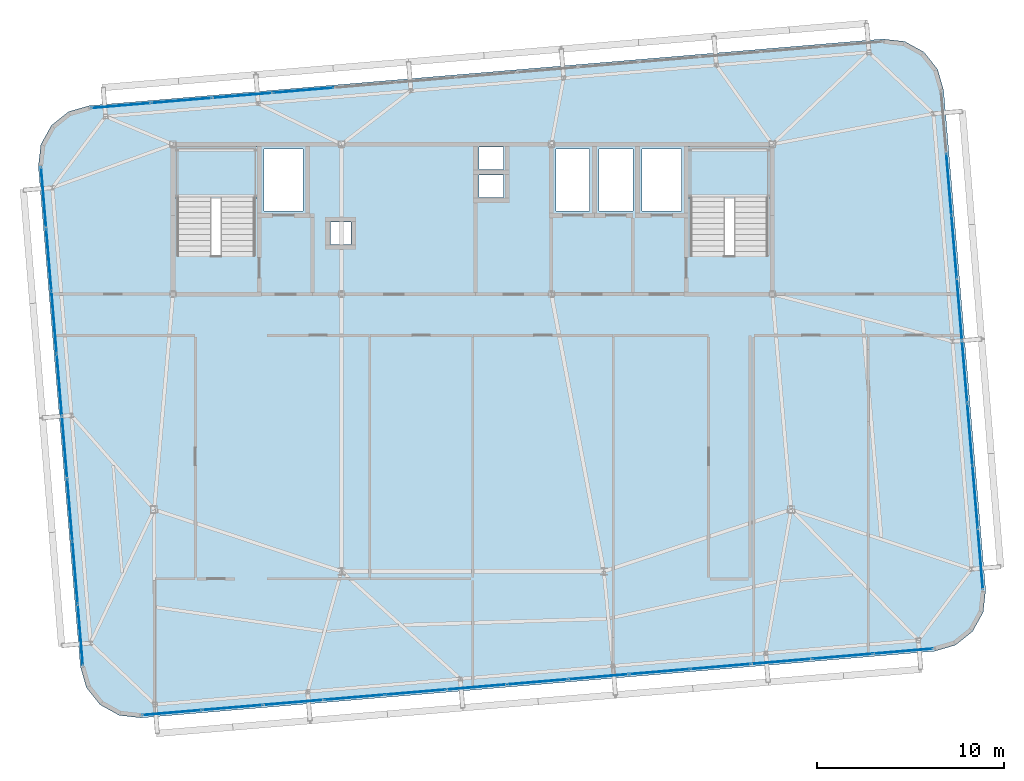
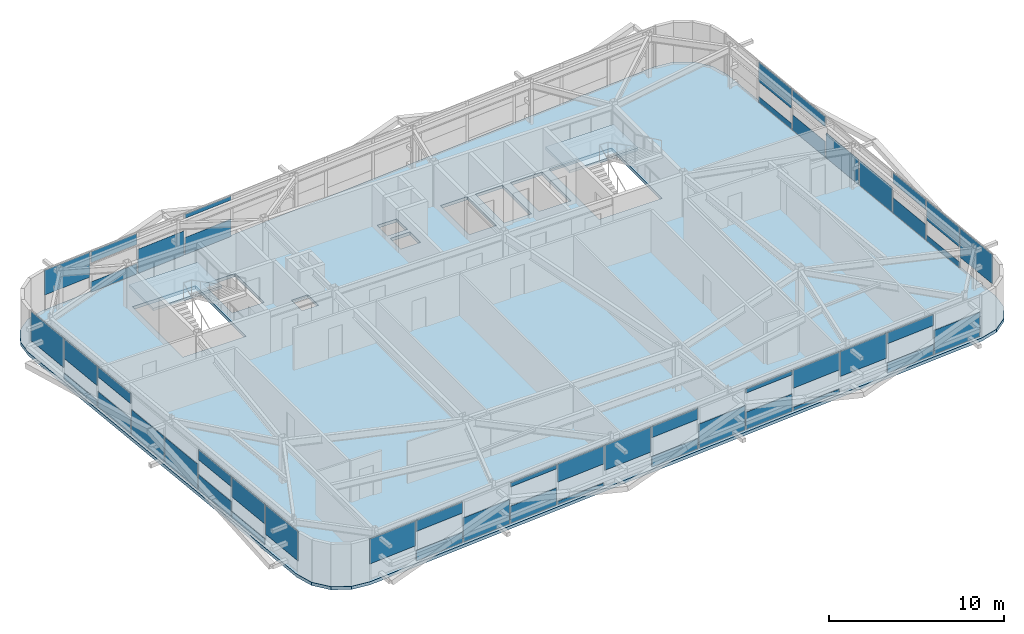
# One storey, part 32 of 46: 49 plates, 3 slabs, 6 elements without a shape of their own.
"""IFC4 building model written with IfcOpenShell, lengths in metres."""

from ifc_helpers import new_model, si_unit, direction, frame, origin, origin_2d, place, context, subcontext, project, spatial, polyline, rectangle, outline, extrude, source, transform, mapped, material, layer, layer_set, type_object, element, aggregate, save


model = new_model("IFC4")

# Units and contexts
model_context = context("Model", 3, precision=1e-05, world=origin(), true_north=direction((0.0, 1.0)))
body_context = subcontext(model_context, "Body", "Model", "MODEL_VIEW")
ifc_project = project(units=[si_unit("LENGTHUNIT", "METRE"), si_unit("AREAUNIT", "SQUARE_METRE"), si_unit("VOLUMEUNIT", "CUBIC_METRE"), si_unit("PLANEANGLEUNIT", "RADIAN"), si_unit("MASSUNIT", "GRAM", prefix="KILO")], contexts=[model_context])

# Site, building, storey
site_placement = place(None, origin())
site = spatial("IfcSite", under=ifc_project, at=site_placement, CompositionType="ELEMENT")
building_placement = place(site_placement, origin())
building = spatial("IfcBuilding", under=site, at=building_placement, Name="Taldren Reach Tower", CompositionType="ELEMENT")
storey_placement = place(building_placement, frame((0.0, 0.0, 185.14990234375)))
storey = spatial("IfcBuildingStorey", under=building, at=storey_placement, Name="L56", CompositionType="ELEMENT", Elevation=185.14990234375)

# Slab
ifc_material_1 = material(Name="Concrete N40 (40 MPa)", Category="concrete")
ifc_layer_1 = layer(ifc_material_1, 0.219970703125)
ifc_layer_set_1 = layer_set([ifc_layer_1], Name="Concrete N40 (40 MPa)")
slab_type_1 = type_object("IfcSlabType", Name="SL-FLR-220", PredefinedType="FLOOR", material=ifc_layer_set_1)
slab_1_placement = place(storey_placement, frame((0.0, 0.0, -0.219970703125)))
element("IfcSlab", 1, at=slab_1_placement, inside=storey, type_object=slab_type_1, Name="Suspended floor slab L56", PredefinedType="FLOOR", context=body_context, shape_type="SweptSolid", body=[
    extrude(outline(polyline([(59.647705078125, 4.935791015625), (60.772705078125, 5.25927734375), (61.688232421875, 5.98876953125), (62.254638671875, 7.012939453125), (62.38623046875, 8.17626953125), (60.1435546875, 34.882080078125), (59.820068359375, 36.007080078125), (59.090576171875, 36.922607421875), (58.06640625, 37.4892578125), (56.903076171875, 37.62060546875), (14.55224609375, 34.064208984375), (13.42724609375, 33.74072265625), (12.511962890625, 33.01123046875), (11.9453125, 31.987060546875), (11.813720703125, 30.82373046875), (14.056396484375, 4.117919921875), (14.3798828125, 2.992919921875), (15.109375, 2.077392578125), (16.1337890625, 1.5107421875), (17.296875, 1.37939453125), (59.647705078125, 4.935791015625)]), holes=[polyline([(19.219970703125, 26.050048828125), (23.3798828125, 26.050048828125), (23.3798828125, 31.820068359375), (19.219970703125, 31.820068359375), (19.219970703125, 26.050048828125)]), polyline([(46.6201171875, 26.050048828125), (50.780029296875, 26.050048828125), (50.780029296875, 31.820068359375), (46.6201171875, 31.820068359375), (46.6201171875, 26.050048828125)]), polyline([(23.85009765625, 28.449951171875), (25.949951171875, 28.449951171875), (25.949951171875, 31.75), (23.85009765625, 31.75), (23.85009765625, 28.449951171875)]), polyline([(44.050048828125, 28.449951171875), (46.14990234375, 28.449951171875), (46.14990234375, 31.75), (44.050048828125, 31.75), (44.050048828125, 28.449951171875)]), polyline([(39.449951171875, 28.449951171875), (41.25, 28.449951171875), (41.25, 31.75), (39.449951171875, 31.75), (39.449951171875, 28.449951171875)]), polyline([(41.75, 28.449951171875), (43.550048828125, 28.449951171875), (43.550048828125, 31.75), (41.75, 31.75), (41.75, 28.449951171875)]), polyline([(35.35009765625, 30.64990234375), (36.64990234375, 30.64990234375), (36.64990234375, 31.85009765625), (35.35009765625, 31.85009765625), (35.35009765625, 30.64990234375)]), polyline([(35.35009765625, 29.14990234375), (36.64990234375, 29.14990234375), (36.64990234375, 30.35009765625), (35.35009765625, 30.35009765625), (35.35009765625, 29.14990234375)]), polyline([(27.39990234375, 26.64990234375), (28.5, 26.64990234375), (28.5, 27.85009765625), (27.39990234375, 27.85009765625), (27.39990234375, 26.64990234375)])]), origin(), (0.0, 0.0, 1.0), 0.219970703125),
])

# Stair, slab
ifc_material_2 = material(Name="Concrete S50 (50 MPa)", Category="concrete")
stair_type = type_object("IfcStairType", Name="ST-HT-315", PredefinedType="HALF_TURN_STAIR", material=ifc_material_2)
stair_1_placement = place(storey_placement, origin())
stair_1 = element("IfcStair", 2, at=stair_1_placement, inside=storey, type_object=stair_type, Name="Fire-isolated exit stair ST1 L56", PredefinedType="HALF_TURN_STAIR")
ifc_layer_2 = layer(ifc_material_2, 0.179931640625)
ifc_layer_set_2 = layer_set([ifc_layer_2], Name="Concrete S50 (50 MPa)")
slab_type_2 = type_object("IfcSlabType", Name="SL-LAND-180", PredefinedType="LANDING", material=ifc_layer_set_2)
slab_2_placement = place(storey_placement, frame((0.0, 0.0, 1.39501953125)))
slab_2 = element("IfcSlab", 3, at=slab_2_placement, type_object=slab_type_2, Name="ST1 landing 1", PredefinedType="LANDING", context=body_context, shape_type="SweptSolid", body=[
    extrude(outline(polyline([(19.0400390625, 29.135009765625), (23.56005859375, 29.135009765625), (23.56005859375, 31.8701171875), (19.0400390625, 31.8701171875), (19.0400390625, 29.135009765625)])), origin(), (0.0, 0.0, 1.0), 0.18017578125),
])
aggregate(stair_1, [slab_2])

stair_2_placement = place(storey_placement, origin())
stair_2 = element("IfcStair", 4, at=stair_2_placement, inside=storey, type_object=stair_type, Name="Fire-isolated exit stair ST2 L56", PredefinedType="HALF_TURN_STAIR")
slab_3_placement = place(storey_placement, frame((0.0, 0.0, 1.39501953125)))
slab_3 = element("IfcSlab", 5, at=slab_3_placement, type_object=slab_type_2, Name="ST2 landing 1", PredefinedType="LANDING", context=body_context, shape_type="SweptSolid", body=[
    extrude(outline(polyline([(46.43994140625, 29.135009765625), (50.9599609375, 29.135009765625), (50.9599609375, 31.8701171875), (46.43994140625, 31.8701171875), (46.43994140625, 29.135009765625)])), origin(), (0.0, 0.0, 1.0), 0.18017578125),
])
aggregate(stair_2, [slab_3])

# Curtain wall, plate
ifc_material_3 = material(Name="Aluminium and Low-E Glass Unitised System", Category="aluminium")
ifc_layer_3 = layer(ifc_material_3, 0.159912109375)
ifc_layer_set_3 = layer_set([ifc_layer_3], Name="Aluminium and Low-E Glass Unitised System")
curtain_wall_type = type_object("IfcCurtainWallType", Name="CW-SYS-5", PredefinedType="NOTDEFINED", material=ifc_layer_set_3)
curtain_wall_1_placement = place(storey_placement, origin())
curtain_wall_1 = element("IfcCurtainWall", 6, at=curtain_wall_1_placement, inside=storey, type_object=curtain_wall_type, Name="Unitised curtain wall CW-L56-S", PredefinedType="NOTDEFINED")
ifc_material_4 = material(Name="Acoustic Triple-Laminated IGU", Category="glass")
ifc_layer_4 = layer(ifc_material_4, 0.035888671875)
ifc_layer_set_4 = layer_set([ifc_layer_4], Name="Acoustic Triple-Laminated IGU")
plate_type = type_object("IfcPlateType", Name="CW-PNL-IGU36", PredefinedType="CURTAIN_PANEL", material=ifc_layer_set_4)
shared_shape_1 = source(origin(), body_context, "Body", "SweptSolid", [
    extrude(rectangle(XDim=3.164306640625, YDim=0.035888671875, at=origin_2d()), origin(), (0.0, 0.0, 1.0), 1.734130859375),
])
plate_1_placement = place(storey_placement, frame((18.931396484375, 1.6572265625, 1.1357421875), z_axis=(0.0, 0.0, 1.0), x_axis=(0.996492854922, 0.083677894865, 0.0)))
plate_1 = element("IfcPlate", 7, at=plate_1_placement, type_object=plate_type, Name="CW-5 panel 1.1 part 1", PredefinedType="CURTAIN_PANEL", context=body_context, shape_type="MappedRepresentation", body=[
    mapped(shared_shape_1, transform((0.0, 0.0, 0.0), scale=1.0)),
])

curtain_wall_2_placement = place(storey_placement, origin())
curtain_wall_2 = element("IfcCurtainWall", 8, at=curtain_wall_2_placement, inside=storey, type_object=curtain_wall_type, Name="Unitised curtain wall CW-L56-N", PredefinedType="NOTDEFINED")
plate_2_placement = place(storey_placement, frame((16.210205078125, 34.06298828125, 1.1357421875), z_axis=(0.0, 0.0, 1.0), x_axis=(-0.99649285657, -0.083677875247, 0.0)))
plate_2 = element("IfcPlate", 9, at=plate_2_placement, type_object=plate_type, Name="CW-5 panel 13.1 part 1", PredefinedType="CURTAIN_PANEL", context=body_context, shape_type="MappedRepresentation", body=[
    mapped(shared_shape_1, transform((0.0, 0.0, 0.0), scale=1.0)),
])

# Plate
shared_shape_2 = source(origin(), body_context, "Body", "SweptSolid", [
    extrude(rectangle(XDim=3.19921875, YDim=0.035888671875, at=origin_2d()), origin(), (0.0, 0.0, 1.0), 0.711181640625),
])
plate_3_placement = place(storey_placement, frame((22.171875, 1.92919921875, 0.06005859375), z_axis=(0.0, 0.0, 1.0), x_axis=(0.996492854922, 0.083677894865, 0.0)))
plate_3 = element("IfcPlate", 10, at=plate_3_placement, type_object=plate_type, Name="CW-5 panel 2.1 part 1", PredefinedType="CURTAIN_PANEL", context=body_context, shape_type="MappedRepresentation", body=[
    mapped(shared_shape_2, transform((0.0, 0.0, 0.0), scale=1.0)),
])

plate_4_placement = place(storey_placement, frame((19.45068359375, 34.335205078125, 0.06005859375), z_axis=(0.0, 0.0, 1.0), x_axis=(-0.99649285657, -0.083677875247, 0.0)))
plate_4 = element("IfcPlate", 11, at=plate_4_placement, type_object=plate_type, Name="CW-5 panel 12.1 part 1", PredefinedType="CURTAIN_PANEL", context=body_context, shape_type="MappedRepresentation", body=[
    mapped(shared_shape_2, transform((0.0, 0.0, 0.0), scale=1.0)),
])

shared_shape_3 = source(origin(), body_context, "Body", "SweptSolid", [
    extrude(rectangle(XDim=3.19921875, YDim=0.035888671875, at=origin_2d()), origin(), (0.0, 0.0, 1.0), 0.762939453125),
])
plate_5_placement = place(storey_placement, frame((22.171875, 1.92919921875, 2.10693359375), z_axis=(0.0, 0.0, 1.0), x_axis=(0.996492854922, 0.083677894865, 0.0)))
plate_5 = element("IfcPlate", 12, at=plate_5_placement, type_object=plate_type, Name="CW-5 panel 2.1 part 2", PredefinedType="CURTAIN_PANEL", context=body_context, shape_type="MappedRepresentation", body=[
    mapped(shared_shape_3, transform((0.0, 0.0, 0.0), scale=1.0)),
])

plate_6_placement = place(storey_placement, frame((19.45068359375, 34.335205078125, 2.10693359375), z_axis=(0.0, 0.0, 1.0), x_axis=(-0.99649285657, -0.083677875247, 0.0)))
plate_6 = element("IfcPlate", 13, at=plate_6_placement, type_object=plate_type, Name="CW-5 panel 12.1 part 2", PredefinedType="CURTAIN_PANEL", context=body_context, shape_type="MappedRepresentation", body=[
    mapped(shared_shape_3, transform((0.0, 0.0, 0.0), scale=1.0)),
])

shared_shape_4 = source(origin(), body_context, "Body", "SweptSolid", [
    extrude(rectangle(XDim=3.19921875, YDim=0.035888671875, at=origin_2d()), origin(), (0.0, 0.0, 1.0), 1.682373046875),
])
plate_7_placement = place(storey_placement, frame((25.429443359375, 2.202880859375, 0.06005859375), z_axis=(0.0, 0.0, 1.0), x_axis=(0.996492854922, 0.083677894865, 0.0)))
plate_7 = element("IfcPlate", 14, at=plate_7_placement, type_object=plate_type, Name="CW-5 panel 3.1 part 1", PredefinedType="CURTAIN_PANEL", context=body_context, shape_type="MappedRepresentation", body=[
    mapped(shared_shape_4, transform((0.0, 0.0, 0.0), scale=1.0)),
])

plate_8_placement = place(storey_placement, frame((22.708251953125, 34.608642578125, 0.06005859375), z_axis=(0.0, 0.0, 1.0), x_axis=(-0.99649285657, -0.083677875247, 0.0)))
plate_8 = element("IfcPlate", 15, at=plate_8_placement, type_object=plate_type, Name="CW-5 panel 11.1 part 1", PredefinedType="CURTAIN_PANEL", context=body_context, shape_type="MappedRepresentation", body=[
    mapped(shared_shape_4, transform((0.0, 0.0, 0.0), scale=1.0)),
])

shared_shape_5 = source(origin(), body_context, "Body", "SweptSolid", [
    extrude(rectangle(XDim=3.19921875, YDim=0.035888671875, at=origin_2d()), origin(), (0.0, 0.0, 1.0), 1.190673828125),
])
plate_9_placement = place(storey_placement, frame((28.687255859375, 2.476318359375, 0.06005859375), z_axis=(0.0, 0.0, 1.0), x_axis=(0.996492854922, 0.083677894865, 0.0)))
plate_9 = element("IfcPlate", 16, at=plate_9_placement, type_object=plate_type, Name="CW-5 panel 4.1 part 1", PredefinedType="CURTAIN_PANEL", context=body_context, shape_type="MappedRepresentation", body=[
    mapped(shared_shape_5, transform((0.0, 0.0, 0.0), scale=1.0)),
])

plate_10_placement = place(storey_placement, frame((25.966064453125, 34.88232421875, 0.06005859375), z_axis=(0.0, 0.0, 1.0), x_axis=(-0.99649285657, -0.083677875247, 0.0)))
plate_10 = element("IfcPlate", 17, at=plate_10_placement, type_object=plate_type, Name="CW-5 panel 10.1 part 1", PredefinedType="CURTAIN_PANEL", context=body_context, shape_type="MappedRepresentation", body=[
    mapped(shared_shape_5, transform((0.0, 0.0, 0.0), scale=1.0)),
])

shared_shape_6 = source(origin(), body_context, "Body", "SweptSolid", [
    extrude(rectangle(XDim=3.19921875, YDim=0.035888671875, at=origin_2d()), origin(), (0.0, 0.0, 1.0), 0.283447265625),
])
plate_11_placement = place(storey_placement, frame((28.687255859375, 2.476318359375, 2.58642578125), z_axis=(0.0, 0.0, 1.0), x_axis=(0.996492854922, 0.083677894865, 0.0)))
plate_11 = element("IfcPlate", 18, at=plate_11_placement, type_object=plate_type, Name="CW-5 panel 4.1 part 2", PredefinedType="CURTAIN_PANEL", context=body_context, shape_type="MappedRepresentation", body=[
    mapped(shared_shape_6, transform((0.0, 0.0, 0.0), scale=1.0)),
])

plate_12_placement = place(storey_placement, frame((25.966064453125, 34.88232421875, 2.58642578125), z_axis=(0.0, 0.0, 1.0), x_axis=(-0.99649285657, -0.083677875247, 0.0)))
plate_12 = element("IfcPlate", 19, at=plate_12_placement, type_object=plate_type, Name="CW-5 panel 10.1 part 2", PredefinedType="CURTAIN_PANEL", context=body_context, shape_type="MappedRepresentation", body=[
    mapped(shared_shape_6, transform((0.0, 0.0, 0.0), scale=1.0)),
])

aggregate(curtain_wall_2, [plate_10, plate_12, plate_8, plate_4, plate_6, plate_2])

shared_shape_7 = source(origin(), body_context, "Body", "SweptSolid", [
    extrude(rectangle(XDim=3.19921875, YDim=0.035888671875, at=origin_2d()), origin(), (0.0, 0.0, 1.0), 0.219482421875),
])
plate_13_placement = place(storey_placement, frame((31.945068359375, 2.75, 0.06005859375), z_axis=(0.0, 0.0, 1.0), x_axis=(0.996492854922, 0.083677894865, 0.0)))
plate_13 = element("IfcPlate", 20, at=plate_13_placement, type_object=plate_type, Name="CW-5 panel 5.1 part 1", PredefinedType="CURTAIN_PANEL", context=body_context, shape_type="MappedRepresentation", body=[
    mapped(shared_shape_7, transform((0.0, 0.0, 0.0), scale=1.0)),
])

shared_shape_8 = source(origin(), body_context, "Body", "SweptSolid", [
    extrude(rectangle(XDim=3.19921875, YDim=0.035888671875, at=origin_2d()), origin(), (0.0, 0.0, 1.0), 1.254638671875),
])
plate_14_placement = place(storey_placement, frame((31.945068359375, 2.75, 1.615234375), z_axis=(0.0, 0.0, 1.0), x_axis=(0.996492854922, 0.083677894865, 0.0)))
plate_14 = element("IfcPlate", 21, at=plate_14_placement, type_object=plate_type, Name="CW-5 panel 5.1 part 2", PredefinedType="CURTAIN_PANEL", context=body_context, shape_type="MappedRepresentation", body=[
    mapped(shared_shape_8, transform((0.0, 0.0, 0.0), scale=1.0)),
])

shared_shape_9 = source(origin(), body_context, "Body", "SweptSolid", [
    extrude(rectangle(XDim=3.19921875, YDim=0.035888671875, at=origin_2d()), origin(), (0.0, 0.0, 1.0), 1.73828125),
])
plate_15_placement = place(storey_placement, frame((35.202880859375, 3.0234375, 1.1318359375), z_axis=(0.0, 0.0, 1.0), x_axis=(0.996492854922, 0.083677894865, 0.0)))
plate_15 = element("IfcPlate", 22, at=plate_15_placement, type_object=plate_type, Name="CW-5 panel 6.1 part 1", PredefinedType="CURTAIN_PANEL", context=body_context, shape_type="MappedRepresentation", body=[
    mapped(shared_shape_9, transform((0.0, 0.0, 0.0), scale=1.0)),
])

shared_shape_10 = source(origin(), body_context, "Body", "SweptSolid", [
    extrude(rectangle(XDim=3.19921875, YDim=0.035888671875, at=origin_2d()), origin(), (0.0, 0.0, 1.0), 0.70703125),
])
plate_16_placement = place(storey_placement, frame((38.460693359375, 3.297119140625, 0.06005859375), z_axis=(0.0, 0.0, 1.0), x_axis=(0.996492854922, 0.083677894865, 0.0)))
plate_16 = element("IfcPlate", 23, at=plate_16_placement, type_object=plate_type, Name="CW-5 panel 7.1 part 1", PredefinedType="CURTAIN_PANEL", context=body_context, shape_type="MappedRepresentation", body=[
    mapped(shared_shape_10, transform((0.0, 0.0, 0.0), scale=1.0)),
])

shared_shape_11 = source(origin(), body_context, "Body", "SweptSolid", [
    extrude(rectangle(XDim=3.19921875, YDim=0.035888671875, at=origin_2d()), origin(), (0.0, 0.0, 1.0), 0.76708984375),
])
plate_17_placement = place(storey_placement, frame((38.460693359375, 3.297119140625, 2.10302734375), z_axis=(0.0, 0.0, 1.0), x_axis=(0.996492854922, 0.083677894865, 0.0)))
plate_17 = element("IfcPlate", 24, at=plate_17_placement, type_object=plate_type, Name="CW-5 panel 7.1 part 2", PredefinedType="CURTAIN_PANEL", context=body_context, shape_type="MappedRepresentation", body=[
    mapped(shared_shape_11, transform((0.0, 0.0, 0.0), scale=1.0)),
])

shared_shape_12 = source(origin(), body_context, "Body", "SweptSolid", [
    extrude(rectangle(XDim=3.19921875, YDim=0.035888671875, at=origin_2d()), origin(), (0.0, 0.0, 1.0), 1.67822265625),
])
plate_18_placement = place(storey_placement, frame((41.71826171875, 3.570556640625, 0.06005859375), z_axis=(0.0, 0.0, 1.0), x_axis=(0.996492854922, 0.083677894865, 0.0)))
plate_18 = element("IfcPlate", 25, at=plate_18_placement, type_object=plate_type, Name="CW-5 panel 8.1 part 1", PredefinedType="CURTAIN_PANEL", context=body_context, shape_type="MappedRepresentation", body=[
    mapped(shared_shape_12, transform((0.0, 0.0, 0.0), scale=1.0)),
])

shared_shape_13 = source(origin(), body_context, "Body", "SweptSolid", [
    extrude(rectangle(XDim=3.19921875, YDim=0.035888671875, at=origin_2d()), origin(), (0.0, 0.0, 1.0), 1.194580078125),
])
plate_19_placement = place(storey_placement, frame((44.97607421875, 3.84423828125, 0.06005859375), z_axis=(0.0, 0.0, 1.0), x_axis=(0.996492854922, 0.083677894865, 0.0)))
plate_19 = element("IfcPlate", 26, at=plate_19_placement, type_object=plate_type, Name="CW-5 panel 9.1 part 1", PredefinedType="CURTAIN_PANEL", context=body_context, shape_type="MappedRepresentation", body=[
    mapped(shared_shape_13, transform((0.0, 0.0, 0.0), scale=1.0)),
])

shared_shape_14 = source(origin(), body_context, "Body", "SweptSolid", [
    extrude(rectangle(XDim=3.19921875, YDim=0.035888671875, at=origin_2d()), origin(), (0.0, 0.0, 1.0), 0.279296875),
])
plate_20_placement = place(storey_placement, frame((44.97607421875, 3.84423828125, 2.5908203125), z_axis=(0.0, 0.0, 1.0), x_axis=(0.996492854922, 0.083677894865, 0.0)))
plate_20 = element("IfcPlate", 27, at=plate_20_placement, type_object=plate_type, Name="CW-5 panel 9.1 part 2", PredefinedType="CURTAIN_PANEL", context=body_context, shape_type="MappedRepresentation", body=[
    mapped(shared_shape_14, transform((0.0, 0.0, 0.0), scale=1.0)),
])

shared_shape_15 = source(origin(), body_context, "Body", "SweptSolid", [
    extrude(rectangle(XDim=3.19921875, YDim=0.035888671875, at=origin_2d()), origin(), (0.0, 0.0, 1.0), 0.223388671875),
])
plate_21_placement = place(storey_placement, frame((48.23388671875, 4.11767578125, 0.06005859375), z_axis=(0.0, 0.0, 1.0), x_axis=(0.996492854922, 0.083677894865, 0.0)))
plate_21 = element("IfcPlate", 28, at=plate_21_placement, type_object=plate_type, Name="CW-5 panel 10.1 part 1", PredefinedType="CURTAIN_PANEL", context=body_context, shape_type="MappedRepresentation", body=[
    mapped(shared_shape_15, transform((0.0, 0.0, 0.0), scale=1.0)),
])

shared_shape_16 = source(origin(), body_context, "Body", "SweptSolid", [
    extrude(rectangle(XDim=3.19921875, YDim=0.035888671875, at=origin_2d()), origin(), (0.0, 0.0, 1.0), 1.25048828125),
])
plate_22_placement = place(storey_placement, frame((48.23388671875, 4.11767578125, 1.61962890625), z_axis=(0.0, 0.0, 1.0), x_axis=(0.996492854922, 0.083677894865, 0.0)))
plate_22 = element("IfcPlate", 29, at=plate_22_placement, type_object=plate_type, Name="CW-5 panel 10.1 part 2", PredefinedType="CURTAIN_PANEL", context=body_context, shape_type="MappedRepresentation", body=[
    mapped(shared_shape_16, transform((0.0, 0.0, 0.0), scale=1.0)),
])

shared_shape_17 = source(origin(), body_context, "Body", "SweptSolid", [
    extrude(rectangle(XDim=3.19921875, YDim=0.035888671875, at=origin_2d()), origin(), (0.0, 0.0, 1.0), 1.742431640625),
])
plate_23_placement = place(storey_placement, frame((51.49169921875, 4.391357421875, 1.1279296875), z_axis=(0.0, 0.0, 1.0), x_axis=(0.996492854922, 0.083677894865, 0.0)))
plate_23 = element("IfcPlate", 30, at=plate_23_placement, type_object=plate_type, Name="CW-5 panel 11.1 part 1", PredefinedType="CURTAIN_PANEL", context=body_context, shape_type="MappedRepresentation", body=[
    mapped(shared_shape_17, transform((0.0, 0.0, 0.0), scale=1.0)),
])

shared_shape_18 = source(origin(), body_context, "Body", "SweptSolid", [
    extrude(rectangle(XDim=3.19921875, YDim=0.035888671875, at=origin_2d()), origin(), (0.0, 0.0, 1.0), 0.702880859375),
])
plate_24_placement = place(storey_placement, frame((54.74951171875, 4.664794921875, 0.06005859375), z_axis=(0.0, 0.0, 1.0), x_axis=(0.996492854922, 0.083677894865, 0.0)))
plate_24 = element("IfcPlate", 31, at=plate_24_placement, type_object=plate_type, Name="CW-5 panel 12.1 part 1", PredefinedType="CURTAIN_PANEL", context=body_context, shape_type="MappedRepresentation", body=[
    mapped(shared_shape_18, transform((0.0, 0.0, 0.0), scale=1.0)),
])

shared_shape_19 = source(origin(), body_context, "Body", "SweptSolid", [
    extrude(rectangle(XDim=3.19921875, YDim=0.035888671875, at=origin_2d()), origin(), (0.0, 0.0, 1.0), 0.771240234375),
])
plate_25_placement = place(storey_placement, frame((54.74951171875, 4.664794921875, 2.09912109375), z_axis=(0.0, 0.0, 1.0), x_axis=(0.996492854922, 0.083677894865, 0.0)))
plate_25 = element("IfcPlate", 32, at=plate_25_placement, type_object=plate_type, Name="CW-5 panel 12.1 part 2", PredefinedType="CURTAIN_PANEL", context=body_context, shape_type="MappedRepresentation", body=[
    mapped(shared_shape_19, transform((0.0, 0.0, 0.0), scale=1.0)),
])

shared_shape_20 = source(origin(), body_context, "Body", "SweptSolid", [
    extrude(rectangle(XDim=3.164306640625, YDim=0.035888671875, at=origin_2d()), origin(), (0.0, 0.0, 1.0), 1.674072265625),
])
plate_26_placement = place(storey_placement, frame((57.98974609375, 4.93701171875, 0.06005859375), z_axis=(0.0, 0.0, 1.0), x_axis=(0.996492854922, 0.083677894865, 0.0)))
plate_26 = element("IfcPlate", 33, at=plate_26_placement, type_object=plate_type, Name="CW-5 panel 13.1 part 1", PredefinedType="CURTAIN_PANEL", context=body_context, shape_type="MappedRepresentation", body=[
    mapped(shared_shape_20, transform((0.0, 0.0, 0.0), scale=1.0)),
])

aggregate(curtain_wall_1, [plate_1, plate_3, plate_5, plate_7, plate_9, plate_11, plate_13, plate_14, plate_15, plate_16, plate_17, plate_18, plate_19, plate_20, plate_21, plate_22, plate_23, plate_24, plate_25, plate_26])

# Curtain wall, plates
curtain_wall_3_placement = place(storey_placement, origin())
curtain_wall_3 = element("IfcCurtainWall", 34, at=curtain_wall_3_placement, inside=storey, type_object=curtain_wall_type, Name="Unitised curtain wall CW-L56-W", PredefinedType="NOTDEFINED")
shared_shape_21 = source(origin(), body_context, "Body", "SweptSolid", [
    extrude(rectangle(XDim=3.2451171875, YDim=0.035888671875, at=origin_2d()), origin(), (0.0, 0.0, 1.0), 2.040283203125),
])
plate_27_placement = place(storey_placement, frame((12.094970703125, 29.14892578125, 0.830078125), z_axis=(0.0, 0.0, 1.0), x_axis=(0.083677979808, -0.996492847789, 0.0)))
plate_27 = element("IfcPlate", 35, at=plate_27_placement, type_object=plate_type, Name="CW-5 panel 1.1 part 1", PredefinedType="CURTAIN_PANEL", context=body_context, shape_type="MappedRepresentation", body=[
    mapped(shared_shape_21, transform((0.0, 0.0, 0.0), scale=1.0)),
])
plate_28_placement = place(storey_placement, frame((14.05419921875, 5.816162109375, 0.830078125), z_axis=(0.0, 0.0, 1.0), x_axis=(0.083677979808, -0.996492847789, 0.0)))
plate_28 = element("IfcPlate", 36, at=plate_28_placement, type_object=plate_type, Name="CW-5 panel 8.1 part 1", PredefinedType="CURTAIN_PANEL", context=body_context, shape_type="MappedRepresentation", body=[
    mapped(shared_shape_21, transform((0.0, 0.0, 0.0), scale=1.0)),
])

# Curtain wall, plate
curtain_wall_4_placement = place(storey_placement, origin())
curtain_wall_4 = element("IfcCurtainWall", 37, at=curtain_wall_4_placement, inside=storey, type_object=curtain_wall_type, Name="Unitised curtain wall CW-L56-E", PredefinedType="NOTDEFINED")
plate_29_placement = place(storey_placement, frame((62.105224609375, 9.85107421875, 0.830078125), z_axis=(0.0, 0.0, 1.0), x_axis=(-0.083677979808, 0.996492847789, 0.0)))
plate_29 = element("IfcPlate", 38, at=plate_29_placement, type_object=plate_type, Name="CW-5 panel 1.1 part 1", PredefinedType="CURTAIN_PANEL", context=body_context, shape_type="MappedRepresentation", body=[
    mapped(shared_shape_21, transform((0.0, 0.0, 0.0), scale=1.0)),
])

# Plate
shared_shape_22 = source(origin(), body_context, "Body", "SweptSolid", [
    extrude(rectangle(XDim=3.280029296875, YDim=0.035888671875, at=origin_2d()), origin(), (0.0, 0.0, 1.0), 0.40673828125),
])
plate_30_placement = place(storey_placement, frame((12.373779296875, 25.828125, 0.06005859375), z_axis=(0.0, 0.0, 1.0), x_axis=(0.083677979808, -0.996492847789, 0.0)))
plate_30 = element("IfcPlate", 39, at=plate_30_placement, type_object=plate_type, Name="CW-5 panel 2.1 part 1", PredefinedType="CURTAIN_PANEL", context=body_context, shape_type="MappedRepresentation", body=[
    mapped(shared_shape_22, transform((0.0, 0.0, 0.0), scale=1.0)),
])

plate_31_placement = place(storey_placement, frame((13.775390625, 9.136962890625, 0.06005859375), z_axis=(0.0, 0.0, 1.0), x_axis=(0.083677979808, -0.996492847789, 0.0)))
plate_31 = element("IfcPlate", 40, at=plate_31_placement, type_object=plate_type, Name="CW-5 panel 7.1 part 1", PredefinedType="CURTAIN_PANEL", context=body_context, shape_type="MappedRepresentation", body=[
    mapped(shared_shape_22, transform((0.0, 0.0, 0.0), scale=1.0)),
])

plate_32_placement = place(storey_placement, frame((61.826171875, 13.171875, 0.06005859375), z_axis=(0.0, 0.0, 1.0), x_axis=(-0.083677979808, 0.996492847789, 0.0)))
plate_32 = element("IfcPlate", 41, at=plate_32_placement, type_object=plate_type, Name="CW-5 panel 2.1 part 1", PredefinedType="CURTAIN_PANEL", context=body_context, shape_type="MappedRepresentation", body=[
    mapped(shared_shape_22, transform((0.0, 0.0, 0.0), scale=1.0)),
])

plate_33_placement = place(storey_placement, frame((60.424560546875, 29.863037109375, 0.06005859375), z_axis=(0.0, 0.0, 1.0), x_axis=(-0.083677979808, 0.996492847789, 0.0)))
plate_33 = element("IfcPlate", 42, at=plate_33_placement, type_object=plate_type, Name="CW-5 panel 7.1 part 1", PredefinedType="CURTAIN_PANEL", context=body_context, shape_type="MappedRepresentation", body=[
    mapped(shared_shape_22, transform((0.0, 0.0, 0.0), scale=1.0)),
])

shared_shape_23 = source(origin(), body_context, "Body", "SweptSolid", [
    extrude(rectangle(XDim=3.280029296875, YDim=0.035888671875, at=origin_2d()), origin(), (0.0, 0.0, 1.0), 1.373046875),
])
plate_34_placement = place(storey_placement, frame((12.373779296875, 25.828125, 1.4970703125), z_axis=(0.0, 0.0, 1.0), x_axis=(0.083677979808, -0.996492847789, 0.0)))
plate_34 = element("IfcPlate", 43, at=plate_34_placement, type_object=plate_type, Name="CW-5 panel 2.1 part 2", PredefinedType="CURTAIN_PANEL", context=body_context, shape_type="MappedRepresentation", body=[
    mapped(shared_shape_23, transform((0.0, 0.0, 0.0), scale=1.0)),
])

plate_35_placement = place(storey_placement, frame((13.775390625, 9.136962890625, 1.4970703125), z_axis=(0.0, 0.0, 1.0), x_axis=(0.083677979808, -0.996492847789, 0.0)))
plate_35 = element("IfcPlate", 44, at=plate_35_placement, type_object=plate_type, Name="CW-5 panel 7.1 part 2", PredefinedType="CURTAIN_PANEL", context=body_context, shape_type="MappedRepresentation", body=[
    mapped(shared_shape_23, transform((0.0, 0.0, 0.0), scale=1.0)),
])

plate_36_placement = place(storey_placement, frame((61.826171875, 13.171875, 1.4970703125), z_axis=(0.0, 0.0, 1.0), x_axis=(-0.083677979808, 0.996492847789, 0.0)))
plate_36 = element("IfcPlate", 45, at=plate_36_placement, type_object=plate_type, Name="CW-5 panel 2.1 part 2", PredefinedType="CURTAIN_PANEL", context=body_context, shape_type="MappedRepresentation", body=[
    mapped(shared_shape_23, transform((0.0, 0.0, 0.0), scale=1.0)),
])

plate_37_placement = place(storey_placement, frame((60.424560546875, 29.863037109375, 1.4970703125), z_axis=(0.0, 0.0, 1.0), x_axis=(-0.083677979808, 0.996492847789, 0.0)))
plate_37 = element("IfcPlate", 46, at=plate_37_placement, type_object=plate_type, Name="CW-5 panel 7.1 part 2", PredefinedType="CURTAIN_PANEL", context=body_context, shape_type="MappedRepresentation", body=[
    mapped(shared_shape_23, transform((0.0, 0.0, 0.0), scale=1.0)),
])

shared_shape_24 = source(origin(), body_context, "Body", "SweptSolid", [
    extrude(rectangle(XDim=3.280029296875, YDim=0.035888671875, at=origin_2d()), origin(), (0.0, 0.0, 1.0), 1.073974609375),
])
plate_38_placement = place(storey_placement, frame((12.654052734375, 22.489990234375, 0.06005859375), z_axis=(0.0, 0.0, 1.0), x_axis=(0.083677979808, -0.996492847789, 0.0)))
plate_38 = element("IfcPlate", 47, at=plate_38_placement, type_object=plate_type, Name="CW-5 panel 3.1 part 1", PredefinedType="CURTAIN_PANEL", context=body_context, shape_type="MappedRepresentation", body=[
    mapped(shared_shape_24, transform((0.0, 0.0, 0.0), scale=1.0)),
])

plate_39_placement = place(storey_placement, frame((13.4951171875, 12.47509765625, 0.06005859375), z_axis=(0.0, 0.0, 1.0), x_axis=(0.083677979808, -0.996492847789, 0.0)))
plate_39 = element("IfcPlate", 48, at=plate_39_placement, type_object=plate_type, Name="CW-5 panel 6.1 part 1", PredefinedType="CURTAIN_PANEL", context=body_context, shape_type="MappedRepresentation", body=[
    mapped(shared_shape_24, transform((0.0, 0.0, 0.0), scale=1.0)),
])

plate_40_placement = place(storey_placement, frame((61.5458984375, 16.510009765625, 0.06005859375), z_axis=(0.0, 0.0, 1.0), x_axis=(-0.083677979808, 0.996492847789, 0.0)))
plate_40 = element("IfcPlate", 49, at=plate_40_placement, type_object=plate_type, Name="CW-5 panel 3.1 part 1", PredefinedType="CURTAIN_PANEL", context=body_context, shape_type="MappedRepresentation", body=[
    mapped(shared_shape_24, transform((0.0, 0.0, 0.0), scale=1.0)),
])

plate_41_placement = place(storey_placement, frame((60.705078125, 26.52490234375, 0.06005859375), z_axis=(0.0, 0.0, 1.0), x_axis=(-0.083677979808, 0.996492847789, 0.0)))
plate_41 = element("IfcPlate", 50, at=plate_41_placement, type_object=plate_type, Name="CW-5 panel 6.1 part 1", PredefinedType="CURTAIN_PANEL", context=body_context, shape_type="MappedRepresentation", body=[
    mapped(shared_shape_24, transform((0.0, 0.0, 0.0), scale=1.0)),
])

shared_shape_25 = source(origin(), body_context, "Body", "SweptSolid", [
    extrude(rectangle(XDim=3.280029296875, YDim=0.035888671875, at=origin_2d()), origin(), (0.0, 0.0, 1.0), 0.705810546875),
])
plate_42_placement = place(storey_placement, frame((12.654052734375, 22.489990234375, 2.16455078125), z_axis=(0.0, 0.0, 1.0), x_axis=(0.083677979808, -0.996492847789, 0.0)))
plate_42 = element("IfcPlate", 51, at=plate_42_placement, type_object=plate_type, Name="CW-5 panel 3.1 part 2", PredefinedType="CURTAIN_PANEL", context=body_context, shape_type="MappedRepresentation", body=[
    mapped(shared_shape_25, transform((0.0, 0.0, 0.0), scale=1.0)),
])

plate_43_placement = place(storey_placement, frame((13.4951171875, 12.47509765625, 2.16455078125), z_axis=(0.0, 0.0, 1.0), x_axis=(0.083677979808, -0.996492847789, 0.0)))
plate_43 = element("IfcPlate", 52, at=plate_43_placement, type_object=plate_type, Name="CW-5 panel 6.1 part 2", PredefinedType="CURTAIN_PANEL", context=body_context, shape_type="MappedRepresentation", body=[
    mapped(shared_shape_25, transform((0.0, 0.0, 0.0), scale=1.0)),
])

plate_44_placement = place(storey_placement, frame((61.5458984375, 16.510009765625, 2.16455078125), z_axis=(0.0, 0.0, 1.0), x_axis=(-0.083677979808, 0.996492847789, 0.0)))
plate_44 = element("IfcPlate", 53, at=plate_44_placement, type_object=plate_type, Name="CW-5 panel 3.1 part 2", PredefinedType="CURTAIN_PANEL", context=body_context, shape_type="MappedRepresentation", body=[
    mapped(shared_shape_25, transform((0.0, 0.0, 0.0), scale=1.0)),
])

plate_45_placement = place(storey_placement, frame((60.705078125, 26.52490234375, 2.16455078125), z_axis=(0.0, 0.0, 1.0), x_axis=(-0.083677979808, 0.996492847789, 0.0)))
plate_45 = element("IfcPlate", 54, at=plate_45_placement, type_object=plate_type, Name="CW-5 panel 6.1 part 2", PredefinedType="CURTAIN_PANEL", context=body_context, shape_type="MappedRepresentation", body=[
    mapped(shared_shape_25, transform((0.0, 0.0, 0.0), scale=1.0)),
])

shared_shape_26 = source(origin(), body_context, "Body", "SweptSolid", [
    extrude(rectangle(XDim=3.280029296875, YDim=0.035888671875, at=origin_2d()), origin(), (0.0, 0.0, 1.0), 1.7412109375),
])
plate_46_placement = place(storey_placement, frame((12.934326171875, 19.151611328125, 0.06005859375), z_axis=(0.0, 0.0, 1.0), x_axis=(0.083677979808, -0.996492847789, 0.0)))
plate_46 = element("IfcPlate", 55, at=plate_46_placement, type_object=plate_type, Name="CW-5 panel 4.1 part 1", PredefinedType="CURTAIN_PANEL", context=body_context, shape_type="MappedRepresentation", body=[
    mapped(shared_shape_26, transform((0.0, 0.0, 0.0), scale=1.0)),
])

plate_47_placement = place(storey_placement, frame((13.214599609375, 15.8134765625, 0.06005859375), z_axis=(0.0, 0.0, 1.0), x_axis=(0.083677979808, -0.996492847789, 0.0)))
plate_47 = element("IfcPlate", 56, at=plate_47_placement, type_object=plate_type, Name="CW-5 panel 5.1 part 1", PredefinedType="CURTAIN_PANEL", context=body_context, shape_type="MappedRepresentation", body=[
    mapped(shared_shape_26, transform((0.0, 0.0, 0.0), scale=1.0)),
])

aggregate(curtain_wall_3, [plate_27, plate_30, plate_34, plate_38, plate_42, plate_46, plate_47, plate_39, plate_43, plate_31, plate_35, plate_28])

plate_48_placement = place(storey_placement, frame((61.265625, 19.848388671875, 0.06005859375), z_axis=(0.0, 0.0, 1.0), x_axis=(-0.083677979808, 0.996492847789, 0.0)))
plate_48 = element("IfcPlate", 57, at=plate_48_placement, type_object=plate_type, Name="CW-5 panel 4.1 part 1", PredefinedType="CURTAIN_PANEL", context=body_context, shape_type="MappedRepresentation", body=[
    mapped(shared_shape_26, transform((0.0, 0.0, 0.0), scale=1.0)),
])

plate_49_placement = place(storey_placement, frame((60.9853515625, 23.1865234375, 0.06005859375), z_axis=(0.0, 0.0, 1.0), x_axis=(-0.083677979808, 0.996492847789, 0.0)))
plate_49 = element("IfcPlate", 58, at=plate_49_placement, type_object=plate_type, Name="CW-5 panel 5.1 part 1", PredefinedType="CURTAIN_PANEL", context=body_context, shape_type="MappedRepresentation", body=[
    mapped(shared_shape_26, transform((0.0, 0.0, 0.0), scale=1.0)),
])

aggregate(curtain_wall_4, [plate_29, plate_32, plate_36, plate_40, plate_44, plate_48, plate_49, plate_41, plate_45, plate_33, plate_37])

save(model, "model.ifc")
